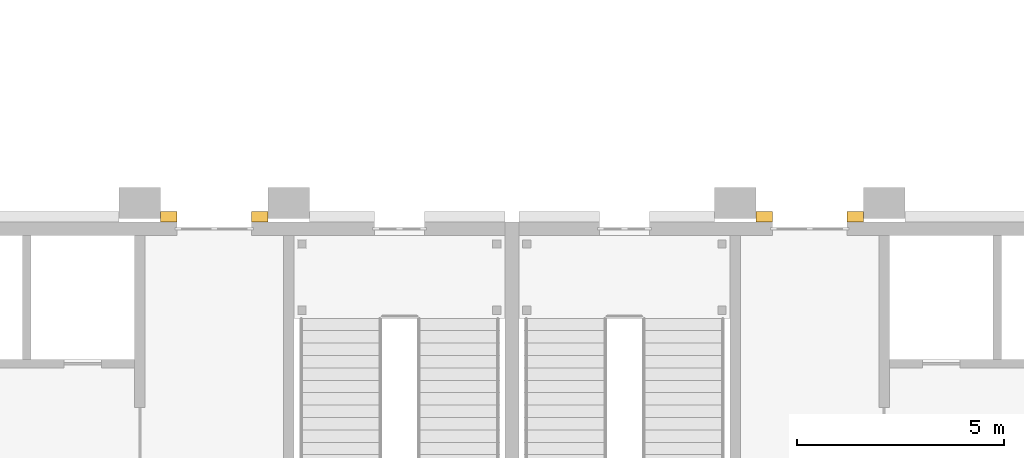
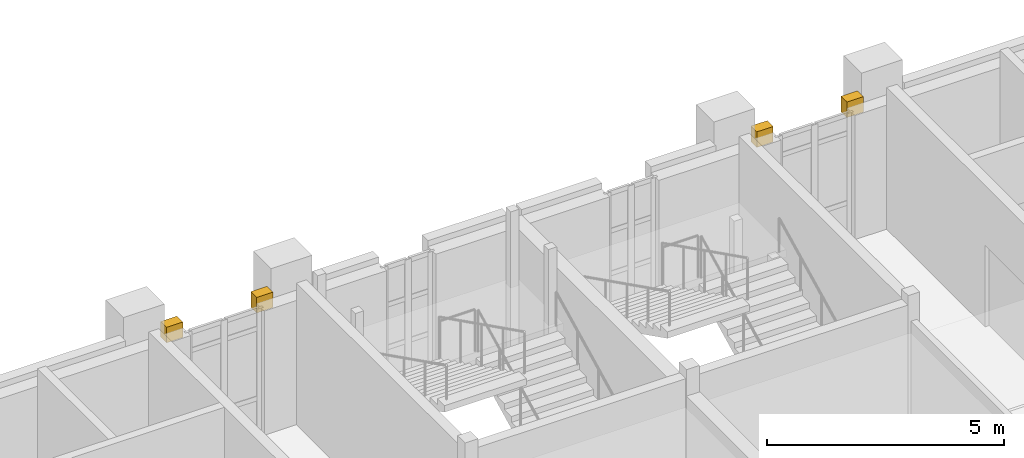
# One storey, part 69 of 71: 4 coverings.
"""IFC4 building model written with IfcOpenShell, lengths in metres."""

from ifc_helpers import new_model, si_unit, direction, frame, origin, place, context, subcontext, project, spatial, polyline, outline, extrude, material, layer, layer_set, type_object, element, save


model = new_model("IFC4")

# Units and contexts
model_context = context("Model", 3, precision=1e-05, world=origin(), true_north=direction((0.0, 1.0)))
body_context = subcontext(model_context, "Body", "Model", "MODEL_VIEW")
ifc_project = project(units=[si_unit("LENGTHUNIT", "METRE"), si_unit("AREAUNIT", "SQUARE_METRE"), si_unit("VOLUMEUNIT", "CUBIC_METRE"), si_unit("PLANEANGLEUNIT", "RADIAN"), si_unit("MASSUNIT", "GRAM", prefix="KILO")], contexts=[model_context])

# Site, building, storey
site_placement = place(None, origin())
site = spatial("IfcSite", under=ifc_project, at=site_placement, CompositionType="ELEMENT")
building_placement = place(site_placement, origin())
building = spatial("IfcBuilding", under=site, at=building_placement, Name="Mazhai Court Health Centre", CompositionType="ELEMENT")
storey_placement = place(building_placement, frame((0.0, 0.0, 10.199951171875)))
storey = spatial("IfcBuildingStorey", under=building, at=storey_placement, Name="L02", CompositionType="ELEMENT", Elevation=10.199951171875)

# Coverings
ifc_material = material(Name="Clay brick masonry", Category="masonry")
ifc_layer = layer(ifc_material, 0.25)
ifc_layer_set = layer_set([ifc_layer], Name="BRICK BAND 250")
covering_type = type_object("IfcCoveringType", Name="BRICK BAND 250", PredefinedType="MOLDING", material=ifc_layer_set)
covering_1_placement = place(storey_placement, frame((0.0, 0.0, 2.949951171875)))
element("IfcCovering", 1, at=covering_1_placement, inside=storey, type_object=covering_type, Name="EB-V2-L02-Ep0-1", PredefinedType="MOLDING", context=body_context, shape_type="SweptSolid", body=[
    extrude(outline(polyline([(12.10009765625, 42.364990234375), (12.5, 42.364990234375), (12.5, 42.614990234375), (12.10009765625, 42.614990234375), (12.10009765625, 42.364990234375)])), origin(), (0.0, 0.0, 1.0), 0.400146484375),
])
covering_2_placement = place(storey_placement, frame((0.0, 0.0, 2.949951171875)))
element("IfcCovering", 2, at=covering_2_placement, inside=storey, type_object=covering_type, Name="EB-V2-L02-Ep1-0", PredefinedType="MOLDING", context=body_context, shape_type="SweptSolid", body=[
    extrude(outline(polyline([(14.300048828125, 42.364990234375), (14.699951171875, 42.364990234375), (14.699951171875, 42.614990234375), (14.300048828125, 42.614990234375), (14.300048828125, 42.364990234375)])), origin(), (0.0, 0.0, 1.0), 0.400146484375),
])
covering_3_placement = place(storey_placement, frame((0.0, 0.0, 2.949951171875)))
element("IfcCovering", 3, at=covering_3_placement, inside=storey, type_object=covering_type, Name="EB-V5-L02-Ep1-1", PredefinedType="MOLDING", context=body_context, shape_type="SweptSolid", body=[
    extrude(outline(polyline([(26.5, 42.364990234375), (26.89990234375, 42.364990234375), (26.89990234375, 42.614990234375), (26.5, 42.614990234375), (26.5, 42.364990234375)])), origin(), (0.0, 0.0, 1.0), 0.400146484375),
])
covering_4_placement = place(storey_placement, frame((0.0, 0.0, 2.949951171875)))
element("IfcCovering", 4, at=covering_4_placement, inside=storey, type_object=covering_type, Name="EB-V5-L02-Ep2-0", PredefinedType="MOLDING", context=body_context, shape_type="SweptSolid", body=[
    extrude(outline(polyline([(28.699951171875, 42.364990234375), (29.10009765625, 42.364990234375), (29.10009765625, 42.614990234375), (28.699951171875, 42.614990234375), (28.699951171875, 42.364990234375)])), origin(), (0.0, 0.0, 1.0), 0.400146484375),
])

save(model, "model.ifc")
